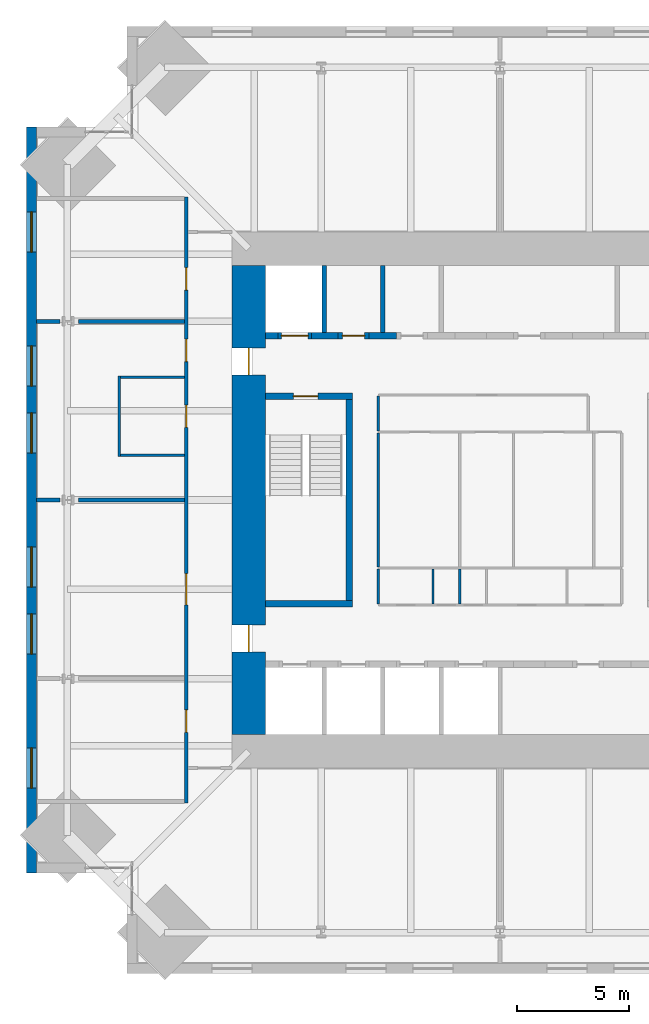
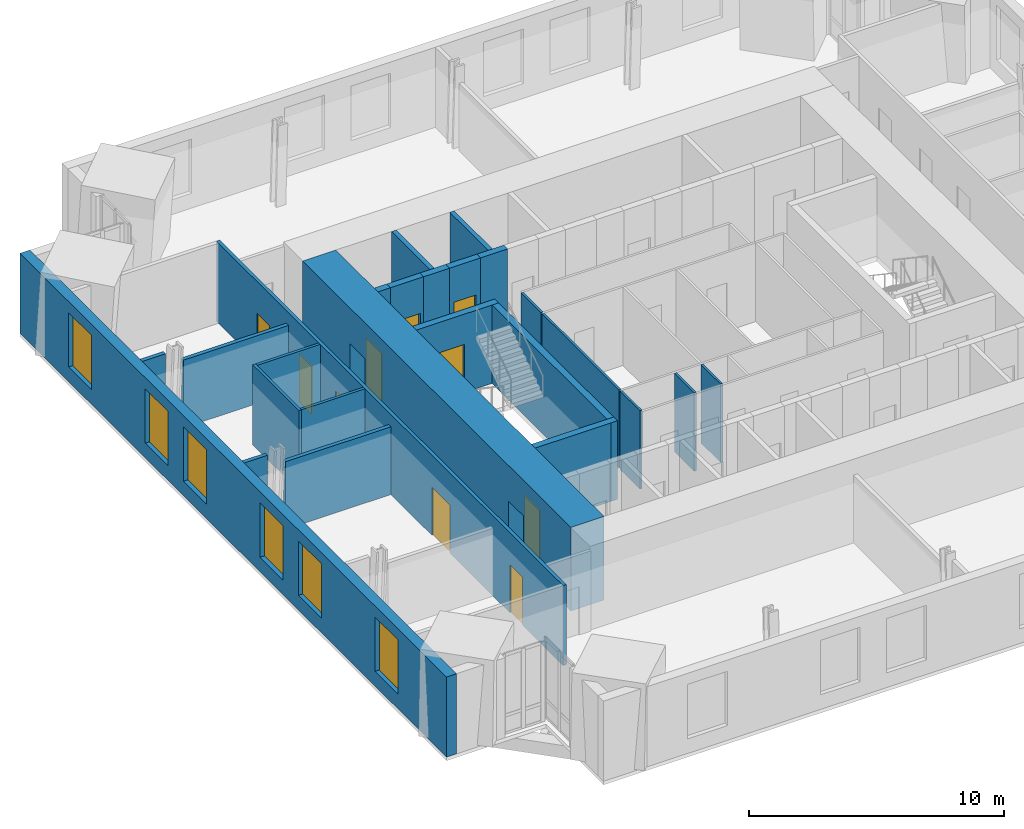
# One storey, part 11 of 15: 25 walls, 10 doors, 6 windows, 16 openings.
"""IFC4 building model written with IfcOpenShell, lengths in metres."""

from ifc_helpers import new_model, si_unit, direction, frame, frame_2d, origin, place, context, subcontext, project, spatial, rectangle, extrude, material, layer, layer_set, type_object, element, fill, save


model = new_model("IFC4")

# Units and contexts
model_context = context("Model", 3, precision=1e-05, world=origin(), true_north=direction((0.0, 1.0)))
body_context = subcontext(model_context, "Body", "Model", "MODEL_VIEW")
ifc_project = project(units=[si_unit("LENGTHUNIT", "METRE"), si_unit("AREAUNIT", "SQUARE_METRE"), si_unit("VOLUMEUNIT", "CUBIC_METRE"), si_unit("PLANEANGLEUNIT", "RADIAN"), si_unit("MASSUNIT", "GRAM", prefix="KILO")], contexts=[model_context])

# Site, building, storey
site_placement = place(None, origin())
site = spatial("IfcSite", under=ifc_project, at=site_placement, CompositionType="ELEMENT")
building_placement = place(site_placement, origin())
building = spatial("IfcBuilding", under=site, at=building_placement, Name="Peilmerk Tower", CompositionType="ELEMENT")
storey_placement = place(building_placement, frame((0.0, 0.0, 285.800048828125)))
storey = spatial("IfcBuildingStorey", under=building, at=storey_placement, Name="L64", CompositionType="ELEMENT", Elevation=285.800048828125)

# Wall, openings, windows
ifc_material_1 = material(Name="Precast concrete C45/55, board-marked finish", Category="concrete")
ifc_layer_1 = layer(ifc_material_1, 0.449951171875)
ifc_layer_set_1 = layer_set([ifc_layer_1], Name="Precast concrete C45/55, board-marked finish")
wall_type_1 = type_object("IfcWallType", Name="EW1 450 precast concrete facade wall, board-marked", PredefinedType="SOLIDWALL", material=ifc_layer_set_1)
wall_1_placement = place(storey_placement, frame((-20.97509765625, 16.699951171875, 0.0), z_axis=(0.0, 0.0, 1.0), x_axis=(0.0, -1.0, 0.0)))
wall_1 = element("IfcWall", 1, at=wall_1_placement, inside=storey, type_object=wall_type_1, Name="Facade wall W L64", PredefinedType="SOLIDWALL", context=body_context, shape_type="SweptSolid", body=[
    extrude(rectangle(XDim=33.39990234375, YDim=0.449951171875, at=frame_2d((16.699951171875, 0.0))), origin(), (0.0, 0.0, 1.0), 3.829833984375),
])
opening_1_placement = place(wall_1_placement, frame((3.800048828125, 0.0, 0.699951171875)))
opening_1 = element("IfcOpeningElement", 2, at=opening_1_placement, cuts=wall_1, Name="Opening W1", PredefinedType="OPENING", context=body_context, shape_type="SweptSolid", body=[
    extrude(rectangle(XDim=1.800048828125, YDim=2.60009765625, at=frame_2d((0.89990234375, 1.300048828125))), frame((0.0, 0.23486328125, 0.0), z_axis=(0.0, -1.0, 0.0), x_axis=(1.0, 0.0, 0.0)), (0.0, 0.0, 1.0), 0.469970703125),
])
opening_2_placement = place(wall_1_placement, frame((9.800048828125, 0.0, 0.699951171875)))
opening_2 = element("IfcOpeningElement", 3, at=opening_2_placement, cuts=wall_1, Name="Opening W1", PredefinedType="OPENING", context=body_context, shape_type="SweptSolid", body=[
    extrude(rectangle(XDim=1.800048828125, YDim=2.60009765625, at=frame_2d((0.89990234375, 1.300048828125))), frame((0.0, 0.23486328125, 0.0), z_axis=(0.0, -1.0, 0.0), x_axis=(1.0, 0.0, 0.0)), (0.0, 0.0, 1.0), 0.469970703125),
])
opening_3_placement = place(wall_1_placement, frame((12.800048828125, 0.0, 0.699951171875)))
opening_3 = element("IfcOpeningElement", 4, at=opening_3_placement, cuts=wall_1, Name="Opening W1", PredefinedType="OPENING", context=body_context, shape_type="SweptSolid", body=[
    extrude(rectangle(XDim=1.800048828125, YDim=2.60009765625, at=frame_2d((0.89990234375, 1.300048828125))), frame((0.0, 0.23486328125, 0.0), z_axis=(0.0, -1.0, 0.0), x_axis=(1.0, 0.0, 0.0)), (0.0, 0.0, 1.0), 0.469970703125),
])
opening_4_placement = place(wall_1_placement, frame((18.800048828125, 0.0, 0.699951171875)))
opening_4 = element("IfcOpeningElement", 5, at=opening_4_placement, cuts=wall_1, Name="Opening W1", PredefinedType="OPENING", context=body_context, shape_type="SweptSolid", body=[
    extrude(rectangle(XDim=1.800048828125, YDim=2.60009765625, at=frame_2d((0.89990234375, 1.300048828125))), frame((0.0, 0.23486328125, 0.0), z_axis=(0.0, -1.0, 0.0), x_axis=(1.0, 0.0, 0.0)), (0.0, 0.0, 1.0), 0.469970703125),
])
opening_5_placement = place(wall_1_placement, frame((21.800048828125, 0.0, 0.699951171875)))
opening_5 = element("IfcOpeningElement", 6, at=opening_5_placement, cuts=wall_1, Name="Opening W1", PredefinedType="OPENING", context=body_context, shape_type="SweptSolid", body=[
    extrude(rectangle(XDim=1.800048828125, YDim=2.60009765625, at=frame_2d((0.89990234375, 1.300048828125))), frame((0.0, 0.23486328125, 0.0), z_axis=(0.0, -1.0, 0.0), x_axis=(1.0, 0.0, 0.0)), (0.0, 0.0, 1.0), 0.469970703125),
])
opening_6_placement = place(wall_1_placement, frame((27.800048828125, 0.0, 0.699951171875)))
opening_6 = element("IfcOpeningElement", 7, at=opening_6_placement, cuts=wall_1, Name="Opening W1", PredefinedType="OPENING", context=body_context, shape_type="SweptSolid", body=[
    extrude(rectangle(XDim=1.800048828125, YDim=2.60009765625, at=frame_2d((0.89990234375, 1.300048828125))), frame((0.0, 0.23486328125, 0.0), z_axis=(0.0, -1.0, 0.0), x_axis=(1.0, 0.0, 0.0)), (0.0, 0.0, 1.0), 0.469970703125),
])
ifc_material_2 = material(Name="Aluminium frame, clear double glazing", Category="aluminium")
window_type = type_object("IfcWindowType", Name="W1 1800x2600 office window", PartitioningType="SINGLE_PANEL", PredefinedType="WINDOW", material=ifc_material_2)
window_1_placement = place(opening_1_placement, origin())
window_1 = element("IfcWindow", 8, at=window_1_placement, inside=storey, type_object=window_type, Name="Window W1 L64", OverallHeight=2.60009765625, OverallWidth=1.800048828125, PartitioningType="SINGLE_PANEL", PredefinedType="WINDOW", context=body_context, shape_type="SweptSolid", body=[
    extrude(rectangle(XDim=1.800048828125, YDim=2.60009765625, at=frame_2d((0.89990234375, 1.300048828125))), frame((0.0, 0.030029296875, 0.0), z_axis=(0.0, -1.0, 0.0), x_axis=(1.0, 0.0, 0.0)), (0.0, 0.0, 1.0), 0.06005859375),
])
fill(opening_1, window_1)
window_2_placement = place(opening_2_placement, origin())
window_2 = element("IfcWindow", 9, at=window_2_placement, inside=storey, type_object=window_type, Name="Window W1 L64", OverallHeight=2.60009765625, OverallWidth=1.800048828125, PartitioningType="SINGLE_PANEL", PredefinedType="WINDOW", context=body_context, shape_type="SweptSolid", body=[
    extrude(rectangle(XDim=1.800048828125, YDim=2.60009765625, at=frame_2d((0.89990234375, 1.300048828125))), frame((0.0, 0.030029296875, 0.0), z_axis=(0.0, -1.0, 0.0), x_axis=(1.0, 0.0, 0.0)), (0.0, 0.0, 1.0), 0.06005859375),
])
fill(opening_2, window_2)
window_3_placement = place(opening_3_placement, origin())
window_3 = element("IfcWindow", 10, at=window_3_placement, inside=storey, type_object=window_type, Name="Window W1 L64", OverallHeight=2.60009765625, OverallWidth=1.800048828125, PartitioningType="SINGLE_PANEL", PredefinedType="WINDOW", context=body_context, shape_type="SweptSolid", body=[
    extrude(rectangle(XDim=1.800048828125, YDim=2.60009765625, at=frame_2d((0.89990234375, 1.300048828125))), frame((0.0, 0.030029296875, 0.0), z_axis=(0.0, -1.0, 0.0), x_axis=(1.0, 0.0, 0.0)), (0.0, 0.0, 1.0), 0.06005859375),
])
fill(opening_3, window_3)
window_4_placement = place(opening_4_placement, origin())
window_4 = element("IfcWindow", 11, at=window_4_placement, inside=storey, type_object=window_type, Name="Window W1 L64", OverallHeight=2.60009765625, OverallWidth=1.800048828125, PartitioningType="SINGLE_PANEL", PredefinedType="WINDOW", context=body_context, shape_type="SweptSolid", body=[
    extrude(rectangle(XDim=1.800048828125, YDim=2.60009765625, at=frame_2d((0.89990234375, 1.300048828125))), frame((0.0, 0.030029296875, 0.0), z_axis=(0.0, -1.0, 0.0), x_axis=(1.0, 0.0, 0.0)), (0.0, 0.0, 1.0), 0.06005859375),
])
fill(opening_4, window_4)
window_5_placement = place(opening_5_placement, origin())
window_5 = element("IfcWindow", 12, at=window_5_placement, inside=storey, type_object=window_type, Name="Window W1 L64", OverallHeight=2.60009765625, OverallWidth=1.800048828125, PartitioningType="SINGLE_PANEL", PredefinedType="WINDOW", context=body_context, shape_type="SweptSolid", body=[
    extrude(rectangle(XDim=1.800048828125, YDim=2.60009765625, at=frame_2d((0.89990234375, 1.300048828125))), frame((0.0, 0.030029296875, 0.0), z_axis=(0.0, -1.0, 0.0), x_axis=(1.0, 0.0, 0.0)), (0.0, 0.0, 1.0), 0.06005859375),
])
fill(opening_5, window_5)
window_6_placement = place(opening_6_placement, origin())
window_6 = element("IfcWindow", 13, at=window_6_placement, inside=storey, type_object=window_type, Name="Window W1 L64", OverallHeight=2.60009765625, OverallWidth=1.800048828125, PartitioningType="SINGLE_PANEL", PredefinedType="WINDOW", context=body_context, shape_type="SweptSolid", body=[
    extrude(rectangle(XDim=1.800048828125, YDim=2.60009765625, at=frame_2d((0.89990234375, 1.300048828125))), frame((0.0, 0.030029296875, 0.0), z_axis=(0.0, -1.0, 0.0), x_axis=(1.0, 0.0, 0.0)), (0.0, 0.0, 1.0), 0.06005859375),
])
fill(opening_6, window_6)

# Wall, openings, doors
ifc_material_3 = material(Name="Calcium silicate block", Category="masonry")
ifc_layer_2 = layer(ifc_material_3, 0.14990234375)
ifc_layer_set_2 = layer_set([ifc_layer_2], Name="Calcium silicate block")
wall_type_2 = type_object("IfcWallType", Name="IW1 150 corridor partition, EI 60", PredefinedType="PARTITIONING", material=ifc_layer_set_2)
wall_2_placement = place(storey_placement, frame((-14.050048828125, 13.574951171875, 0.0), z_axis=(0.0, 0.0, 1.0), x_axis=(0.0, -1.0, 0.0)))
wall_2 = element("IfcWall", 14, at=wall_2_placement, inside=storey, type_object=wall_type_2, Name="Corridor wall W L64", PredefinedType="PARTITIONING", context=body_context, shape_type="SweptSolid", body=[
    extrude(rectangle(XDim=27.14990234375, YDim=0.14990234375, at=frame_2d((13.574951171875, 0.0))), origin(), (0.0, 0.0, 1.0), 3.829833984375),
])
opening_7_placement = place(wall_2_placement, frame((22.97509765625, 0.0, 0.0)))
opening_7 = element("IfcOpeningElement", 15, at=opening_7_placement, cuts=wall_2, Name="Opening D1", PredefinedType="OPENING", context=body_context, shape_type="SweptSolid", body=[
    extrude(rectangle(XDim=1.0, YDim=2.300048828125, at=frame_2d((0.5, 1.14990234375))), frame((0.0, 0.0849609375, 0.0), z_axis=(0.0, -1.0, 0.0), x_axis=(1.0, 0.0, 0.0)), (0.0, 0.0, 1.0), 0.169921875),
])
opening_8_placement = place(wall_2_placement, frame((16.875, 0.0, 0.0)))
opening_8 = element("IfcOpeningElement", 16, at=opening_8_placement, cuts=wall_2, Name="Opening D8", PredefinedType="OPENING", context=body_context, shape_type="SweptSolid", body=[
    extrude(rectangle(XDim=1.39990234375, YDim=2.300048828125, at=frame_2d((0.699951171875, 1.14990234375))), frame((0.0, 0.0849609375, 0.0), z_axis=(0.0, -1.0, 0.0), x_axis=(1.0, 0.0, 0.0)), (0.0, 0.0, 1.0), 0.169921875),
])
opening_9_placement = place(wall_2_placement, frame((6.375, 0.0, 0.0)))
opening_9 = element("IfcOpeningElement", 17, at=opening_9_placement, cuts=wall_2, Name="Opening D1", PredefinedType="OPENING", context=body_context, shape_type="SweptSolid", body=[
    extrude(rectangle(XDim=1.0, YDim=2.300048828125, at=frame_2d((0.5, 1.14990234375))), frame((0.0, 0.0849609375, 0.0), z_axis=(0.0, -1.0, 0.0), x_axis=(1.0, 0.0, 0.0)), (0.0, 0.0, 1.0), 0.169921875),
])
opening_10_placement = place(wall_2_placement, frame((3.175048828125, 0.0, 0.0)))
opening_10 = element("IfcOpeningElement", 18, at=opening_10_placement, cuts=wall_2, Name="Opening D1", PredefinedType="OPENING", context=body_context, shape_type="SweptSolid", body=[
    extrude(rectangle(XDim=1.0, YDim=2.300048828125, at=frame_2d((0.5, 1.14990234375))), frame((0.0, 0.0849609375, 0.0), z_axis=(0.0, -1.0, 0.0), x_axis=(1.0, 0.0, 0.0)), (0.0, 0.0, 1.0), 0.169921875),
])
opening_11_placement = place(wall_2_placement, frame((9.324951171875, 0.0, 0.0)))
opening_11 = element("IfcOpeningElement", 19, at=opening_11_placement, cuts=wall_2, Name="Opening D1", PredefinedType="OPENING", context=body_context, shape_type="SweptSolid", body=[
    extrude(rectangle(XDim=1.0, YDim=2.300048828125, at=frame_2d((0.5, 1.14990234375))), frame((0.0, 0.0849609375, 0.0), z_axis=(0.0, -1.0, 0.0), x_axis=(1.0, 0.0, 0.0)), (0.0, 0.0, 1.0), 0.169921875),
])
ifc_material_4 = material(Name="Timber door in steel frame", Category="steel")
door_type_1 = type_object("IfcDoorType", Name="D1 1000x2300 room door, EI2 30", OperationType="SINGLE_SWING_LEFT", PredefinedType="DOOR", material=ifc_material_4)
door_1_placement = place(opening_7_placement, frame((1.0, 0.0, 0.0), z_axis=(0.0, 0.0, 1.0), x_axis=(-1.0, 0.0, 0.0)))
door_1 = element("IfcDoor", 20, at=door_1_placement, inside=storey, type_object=door_type_1, Name="Door Executive office L64", OperationType="SINGLE_SWING_LEFT", OverallHeight=2.300048828125, OverallWidth=1.0, PredefinedType="DOOR", context=body_context, shape_type="SweptSolid", body=[
    extrude(rectangle(XDim=1.0, YDim=2.300048828125, at=frame_2d((0.5, 1.14990234375))), frame((0.0, 0.02490234375, 0.0), z_axis=(0.0, -1.0, 0.0), x_axis=(1.0, 0.0, 0.0)), (0.0, 0.0, 1.0), 0.050048828125),
])
fill(opening_7, door_1)
door_2_placement = place(opening_9_placement, frame((1.0, 0.0, 0.0), z_axis=(0.0, 0.0, 1.0), x_axis=(-1.0, 0.0, 0.0)))
door_2 = element("IfcDoor", 21, at=door_2_placement, inside=storey, type_object=door_type_1, Name="Door Executive office L64", OperationType="SINGLE_SWING_LEFT", OverallHeight=2.300048828125, OverallWidth=1.0, PredefinedType="DOOR", context=body_context, shape_type="SweptSolid", body=[
    extrude(rectangle(XDim=1.0, YDim=2.300048828125, at=frame_2d((0.5, 1.14990234375))), frame((0.0, 0.02490234375, 0.0), z_axis=(0.0, -1.0, 0.0), x_axis=(1.0, 0.0, 0.0)), (0.0, 0.0, 1.0), 0.050048828125),
])
fill(opening_9, door_2)
door_3_placement = place(opening_10_placement, frame((1.0, 0.0, 0.0), z_axis=(0.0, 0.0, 1.0), x_axis=(-1.0, 0.0, 0.0)))
door_3 = element("IfcDoor", 22, at=door_3_placement, inside=storey, type_object=door_type_1, Name="Door Security control room L64", OperationType="SINGLE_SWING_LEFT", OverallHeight=2.300048828125, OverallWidth=1.0, PredefinedType="DOOR", context=body_context, shape_type="SweptSolid", body=[
    extrude(rectangle(XDim=1.0, YDim=2.300048828125, at=frame_2d((0.5, 1.14990234375))), frame((0.0, 0.02490234375, 0.0), z_axis=(0.0, -1.0, 0.0), x_axis=(1.0, 0.0, 0.0)), (0.0, 0.0, 1.0), 0.050048828125),
])
fill(opening_10, door_3)
door_4_placement = place(opening_11_placement, frame((1.0, 0.0, 0.0), z_axis=(0.0, 0.0, 1.0), x_axis=(-1.0, 0.0, 0.0)))
door_4 = element("IfcDoor", 23, at=door_4_placement, inside=storey, type_object=door_type_1, Name="Door Pantry L64", OperationType="SINGLE_SWING_LEFT", OverallHeight=2.300048828125, OverallWidth=1.0, PredefinedType="DOOR", context=body_context, shape_type="SweptSolid", body=[
    extrude(rectangle(XDim=1.0, YDim=2.300048828125, at=frame_2d((0.5, 1.14990234375))), frame((0.0, 0.02490234375, 0.0), z_axis=(0.0, -1.0, 0.0), x_axis=(1.0, 0.0, 0.0)), (0.0, 0.0, 1.0), 0.050048828125),
])
fill(opening_11, door_4)
door_type_2 = type_object("IfcDoorType", Name="D8 1400x2300 leaf-and-a-half door, EI2 30", OperationType="DOUBLE_DOOR_SINGLE_SWING", PredefinedType="DOOR", material=ifc_material_4)
door_5_placement = place(opening_8_placement, frame((1.39990234375, 0.0, 0.0), z_axis=(0.0, 0.0, 1.0), x_axis=(-1.0, 0.0, 0.0)))
door_5 = element("IfcDoor", 24, at=door_5_placement, inside=storey, type_object=door_type_2, Name="Door Board room L64", OperationType="DOUBLE_DOOR_SINGLE_SWING", OverallHeight=2.300048828125, OverallWidth=1.39990234375, PredefinedType="DOOR", context=body_context, shape_type="SweptSolid", body=[
    extrude(rectangle(XDim=1.39990234375, YDim=2.300048828125, at=frame_2d((0.699951171875, 1.14990234375))), frame((0.0, 0.02490234375, 0.0), z_axis=(0.0, -1.0, 0.0), x_axis=(1.0, 0.0, 0.0)), (0.0, 0.0, 1.0), 0.050048828125),
])
fill(opening_8, door_5)

# Wall
ifc_material_5 = material(Name="Concrete C35/45", Category="concrete")
ifc_layer_3 = layer(ifc_material_5, 0.300048828125)
ifc_layer_set_3 = layer_set([ifc_layer_3], Name="Concrete C35/45")
wall_type_3 = type_object("IfcWallType", Name="IW3 300 concrete stair enclosure wall, EI 120", PredefinedType="SOLIDWALL", material=ifc_layer_set_3)
wall_3_placement = place(storey_placement, frame((-6.75, -4.800048828125, 0.0), z_axis=(0.0, 0.0, 1.0), x_axis=(0.0, 1.0, 0.0)))
element("IfcWall", 25, at=wall_3_placement, inside=storey, type_object=wall_type_3, Name="Stair 1 enclosure L64", PredefinedType="SOLIDWALL", context=body_context, shape_type="SweptSolid", body=[
    extrude(rectangle(XDim=9.60009765625, YDim=0.300048828125, at=frame_2d((4.800048828125, 0.0))), origin(), (0.0, 0.0, 1.0), 3.75),
])

# Wall, opening, door
wall_4_placement = place(storey_placement, frame((-10.5, 4.64990234375, 0.0), z_axis=(0.0, 0.0, 1.0), x_axis=(1.0, 0.0, 0.0)))
wall_4 = element("IfcWall", 26, at=wall_4_placement, inside=storey, type_object=wall_type_3, Name="Stair 1 enclosure L64", PredefinedType="SOLIDWALL", context=body_context, shape_type="SweptSolid", body=[
    extrude(rectangle(XDim=3.89990234375, YDim=0.300048828125, at=frame_2d((1.949951171875, 0.0))), origin(), (0.0, 0.0, 1.0), 3.75),
])
opening_12_placement = place(wall_4_placement, frame((1.25, 0.0, 0.0)))
opening_12 = element("IfcOpeningElement", 27, at=opening_12_placement, cuts=wall_4, Name="Opening D4", PredefinedType="OPENING", context=body_context, shape_type="SweptSolid", body=[
    extrude(rectangle(XDim=1.10009765625, YDim=2.300048828125, at=frame_2d((0.550048828125, 1.14990234375))), frame((0.0, 0.159912109375, 0.0), z_axis=(0.0, -1.0, 0.0), x_axis=(1.0, 0.0, 0.0)), (0.0, 0.0, 1.0), 0.320068359375),
])
ifc_material_6 = material(Name="Steel door in steel frame", Category="steel")
door_type_3 = type_object("IfcDoorType", Name="D4 1100x2300 stair door, EI2 60", OperationType="SINGLE_SWING_RIGHT", PredefinedType="DOOR", material=ifc_material_6)
door_6_placement = place(opening_12_placement, frame((1.10009765625, 0.0, 0.0), z_axis=(0.0, 0.0, 1.0), x_axis=(-1.0, 0.0, 0.0)))
door_6 = element("IfcDoor", 28, at=door_6_placement, inside=storey, type_object=door_type_3, Name="Stair 1 door L64", OperationType="SINGLE_SWING_RIGHT", OverallHeight=2.300048828125, OverallWidth=1.10009765625, PredefinedType="DOOR", context=body_context, shape_type="SweptSolid", body=[
    extrude(rectangle(XDim=1.10009765625, YDim=2.300048828125, at=frame_2d((0.550048828125, 1.14990234375))), frame((0.0, 0.02490234375, 0.0), z_axis=(0.0, -1.0, 0.0), x_axis=(1.0, 0.0, 0.0)), (0.0, 0.0, 1.0), 0.050048828125),
])
fill(opening_12, door_6)

# Walls
wall_5_placement = place(storey_placement, frame((-6.60009765625, -4.64990234375, 0.0), z_axis=(0.0, 0.0, 1.0), x_axis=(-1.0, 0.0, 0.0)))
element("IfcWall", 29, at=wall_5_placement, inside=storey, type_object=wall_type_3, Name="Stair 1 enclosure L64", PredefinedType="SOLIDWALL", context=body_context, shape_type="SweptSolid", body=[
    extrude(rectangle(XDim=3.89990234375, YDim=0.300048828125, at=frame_2d((1.949951171875, 0.0))), origin(), (0.0, 0.0, 1.0), 3.75),
])
ifc_material_7 = material(Name="Plasterboard on steel studs", Category="steel")
ifc_layer_4 = layer(ifc_material_7, 0.10009765625)
ifc_layer_set_4 = layer_set([ifc_layer_4], Name="Plasterboard on steel studs")
wall_type_4 = type_object("IfcWallType", Name="IW4 100 WC partition", PredefinedType="PARTITIONING", material=ifc_layer_set_4)
wall_6_placement = place(storey_placement, frame((-5.449951171875, -3.0, 0.0), z_axis=(0.0, 0.0, 1.0), x_axis=(0.0, 1.0, 0.0)))
element("IfcWall", 30, at=wall_6_placement, inside=storey, type_object=wall_type_4, Name="WC wall L64", PredefinedType="PARTITIONING", context=body_context, shape_type="SweptSolid", body=[
    extrude(rectangle(XDim=6.0, YDim=0.10009765625, at=frame_2d((3.0, 0.0))), origin(), (0.0, 0.0, 1.0), 3.75),
])
ifc_material_8 = material(Name="Calcium silicate board on steel studs", Category="steel")
ifc_layer_5 = layer(ifc_material_8, 0.10009765625)
ifc_layer_set_5 = layer_set([ifc_layer_5], Name="Calcium silicate board on steel studs")
wall_type_5 = type_object("IfcWallType", Name="IW5 100 riser enclosure wall, EI 60", PredefinedType="PARTITIONING", material=ifc_layer_set_5)
for number, where, z_axis, x_axis, name in (
    (31, (-5.449951171875, -3.10009765625, 0.0), (0.0, 0.0, 1.0), (0.0, -1.0, 0.0), "Riser wall L64"),
    (32, (-3.0, -3.10009765625, 0.0), (0.0, 0.0, 1.0), (0.0, -1.0, 0.0), "Riser wall L64"),
    (33, (-1.800048828125, -3.10009765625, 0.0), (0.0, 0.0, 1.0), (0.0, -1.0, 0.0), "Riser wall L64"),
):
    element("IfcWall", number, at=place(storey_placement, frame(where, z_axis=z_axis, x_axis=x_axis)), inside=storey, type_object=wall_type_5, Name=name, PredefinedType="PARTITIONING", context=body_context, shape_type="SweptSolid", body=[
        extrude(rectangle(XDim=1.5498046875, YDim=0.10009765625, at=frame_2d((0.77490234375, 0.0))), origin(), (0.0, 0.0, 1.0), 3.75),
    ])
ifc_material_9 = material(Name="Plasterboard on steel studs, double boarded with mineral wool", Category="steel")
ifc_layer_6 = layer(ifc_material_9, 0.125)
ifc_layer_set_6 = layer_set([ifc_layer_6], Name="Plasterboard on steel studs, double boarded with mineral wool")
wall_type_6 = type_object("IfcWallType", Name="IW7 125 acoustic partition, EI 30", PredefinedType="PARTITIONING", material=ifc_layer_set_6)
wall_7_placement = place(storey_placement, frame((-17.050048828125, 1.9375, 0.0), z_axis=(0.0, 0.0, 1.0), x_axis=(0.0, 1.0, 0.0)))
element("IfcWall", 34, at=wall_7_placement, inside=storey, type_object=wall_type_6, Name="Acoustic partition Pantry L64", PredefinedType="PARTITIONING", context=body_context, shape_type="SweptSolid", body=[
    extrude(rectangle(XDim=3.625, YDim=0.125, at=frame_2d((1.8125, 0.0))), origin(), (0.0, 0.0, 1.0), 3.829833984375),
])
for number, where, z_axis, x_axis, name in (
    (35, (-14.125, 2.0, 0.0), (0.0, 0.0, 1.0), (-1.0, 0.0, 0.0), "Acoustic partition Pantry L64"),
    (36, (-14.125, 5.5, 0.0), (0.0, 0.0, 1.0), (-1.0, 0.0, 0.0), "Acoustic partition Pantry L64"),
):
    element("IfcWall", number, at=place(storey_placement, frame(where, z_axis=z_axis, x_axis=x_axis)), inside=storey, type_object=wall_type_6, Name=name, PredefinedType="PARTITIONING", context=body_context, shape_type="SweptSolid", body=[
        extrude(rectangle(XDim=2.862548828125, YDim=0.125, at=frame_2d((1.43115234375, 0.0))), origin(), (0.0, 0.0, 1.0), 3.829833984375),
    ])
ifc_layer_7 = layer(ifc_material_3, 0.175048828125)
ifc_layer_set_7 = layer_set([ifc_layer_7], Name="Calcium silicate block")
wall_type_7 = type_object("IfcWallType", Name="IW8 175 tenant separating wall, EI 60", PredefinedType="PARTITIONING", material=ifc_layer_set_7)
wall_8_placement = place(storey_placement, frame((-14.125, 0.0, 0.0), z_axis=(0.0, 0.0, 1.0), x_axis=(-1.0, 0.0, 0.0)))
element("IfcWall", 37, at=wall_8_placement, inside=storey, type_object=wall_type_7, Name="Tenant separating wall W2 L64", PredefinedType="PARTITIONING", context=body_context, shape_type="SweptSolid", body=[
    extrude(rectangle(XDim=4.756591796875, YDim=0.175048828125, at=frame_2d((2.37841796875, 0.0))), origin(), (0.0, 0.0, 1.0), 3.239990234375),
])
wall_9_placement = place(storey_placement, frame((-19.7021484375, 0.0, 0.0), z_axis=(0.0, 0.0, 1.0), x_axis=(-1.0, 0.0, 0.0)))
element("IfcWall", 38, at=wall_9_placement, inside=storey, type_object=wall_type_7, Name="Tenant separating wall W2b L64", PredefinedType="PARTITIONING", context=body_context, shape_type="SweptSolid", body=[
    extrude(rectangle(XDim=1.0478515625, YDim=0.175048828125, at=frame_2d((0.52392578125, 0.0))), origin(), (0.0, 0.0, 1.0), 3.829833984375),
])
wall_10_placement = place(storey_placement, frame((-14.125, 8.0, 0.0), z_axis=(0.0, 0.0, 1.0), x_axis=(-1.0, 0.0, 0.0)))
element("IfcWall", 39, at=wall_10_placement, inside=storey, type_object=wall_type_7, Name="Tenant separating wall W3 L64", PredefinedType="PARTITIONING", context=body_context, shape_type="SweptSolid", body=[
    extrude(rectangle(XDim=4.756591796875, YDim=0.175048828125, at=frame_2d((2.37841796875, 0.0))), origin(), (0.0, 0.0, 1.0), 3.239990234375),
])
wall_11_placement = place(storey_placement, frame((-19.7021484375, 8.0, 0.0), z_axis=(0.0, 0.0, 1.0), x_axis=(-1.0, 0.0, 0.0)))
element("IfcWall", 40, at=wall_11_placement, inside=storey, type_object=wall_type_7, Name="Tenant separating wall W3b L64", PredefinedType="PARTITIONING", context=body_context, shape_type="SweptSolid", body=[
    extrude(rectangle(XDim=1.0478515625, YDim=0.175048828125, at=frame_2d((0.52392578125, 0.0))), origin(), (0.0, 0.0, 1.0), 3.829833984375),
])
ifc_material_10 = material(Name="Fire-resisting plasterboard on steel studs", Category="steel")
ifc_layer_8 = layer(ifc_material_10, 0.10009765625)
ifc_layer_set_8 = layer_set([ifc_layer_8], Name="Fire-resisting plasterboard on steel studs")
wall_type_8 = type_object("IfcWallType", Name="IW9 100 WC lobby wall, EI 30", PredefinedType="PARTITIONING", material=ifc_layer_set_8)
wall_12_placement = place(storey_placement, frame((-5.449951171875, 3.10009765625, 0.0), z_axis=(0.0, 0.0, 1.0), x_axis=(0.0, 1.0, 0.0)))
element("IfcWall", 41, at=wall_12_placement, inside=storey, type_object=wall_type_8, Name="WC lobby wall L64", PredefinedType="PARTITIONING", context=body_context, shape_type="SweptSolid", body=[
    extrude(rectangle(XDim=1.5498046875, YDim=0.10009765625, at=frame_2d((0.77490234375, 0.0))), origin(), (0.0, 0.0, 1.0), 3.75),
])
ifc_layer_9 = layer(ifc_material_3, 0.199951171875)
ifc_layer_set_9 = layer_set([ifc_layer_9], Name="Calcium silicate block")
wall_type_9 = type_object("IfcWallType", Name="SH1 200 shaft dividing wall, EI 120", PredefinedType="PARTITIONING", material=ifc_layer_set_9)
for number, where, z_axis, x_axis, name in (
    (42, (-7.875, 7.5, 0.0), (0.0, 0.0, 1.0), (0.0, 1.0, 0.0), "Shaft wall N FL1 L64"),
    (43, (-5.25, 7.5, 0.0), (0.0, 0.0, 1.0), (0.0, 1.0, 0.0), "Shaft wall N A1 L64"),
):
    element("IfcWall", number, at=place(storey_placement, frame(where, z_axis=z_axis, x_axis=x_axis)), inside=storey, type_object=wall_type_9, Name=name, PredefinedType="PARTITIONING", context=body_context, shape_type="SweptSolid", body=[
        extrude(rectangle(XDim=3.0, YDim=0.199951171875, at=frame_2d((1.5, 0.0))), origin(), (0.0, 0.0, 1.0), 4.0),
    ])

# Wall, opening, door
ifc_layer_10 = layer(ifc_material_3, 0.300048828125)
ifc_layer_set_10 = layer_set([ifc_layer_10], Name="Calcium silicate block")
wall_type_10 = type_object("IfcWallType", Name="SH2 300 lift landing door panel, EI 120", PredefinedType="PARTITIONING", material=ifc_layer_set_10)
wall_13_placement = place(storey_placement, frame((-9.9375, 7.35009765625, 0.0), z_axis=(0.0, 0.0, 1.0), x_axis=(1.0, 0.0, 0.0)))
wall_13 = element("IfcWall", 44, at=wall_13_placement, inside=storey, type_object=wall_type_10, Name="Lift door panel N FL1 L64", PredefinedType="PARTITIONING", context=body_context, shape_type="SweptSolid", body=[
    extrude(rectangle(XDim=1.5, YDim=0.300048828125, at=frame_2d((0.75, 0.0))), origin(), (0.0, 0.0, 1.0), 4.0),
])
opening_13_placement = place(wall_13_placement, frame((0.14990234375, 0.0, 0.0)))
opening_13 = element("IfcOpeningElement", 45, at=opening_13_placement, cuts=wall_13, Name="Opening LD2", PredefinedType="OPENING", context=body_context, shape_type="SweptSolid", body=[
    extrude(rectangle(XDim=1.199951171875, YDim=2.300048828125, at=frame_2d((0.60009765625, 1.14990234375))), frame((0.0, 0.159912109375, 0.0), z_axis=(0.0, -1.0, 0.0), x_axis=(1.0, 0.0, 0.0)), (0.0, 0.0, 1.0), 0.320068359375),
])
ifc_material_11 = material(Name="Stainless steel landing door", Category="steel")
door_type_4 = type_object("IfcDoorType", Name="LD2 1200x2300 lift landing door, sliding, EI2 60", OperationType="SLIDING_TO_LEFT", PredefinedType="DOOR", material=ifc_material_11)
door_7_placement = place(opening_13_placement, frame((1.199951171875, 0.0, 0.0), z_axis=(0.0, 0.0, 1.0), x_axis=(-1.0, 0.0, 0.0)))
door_7 = element("IfcDoor", 46, at=door_7_placement, inside=storey, type_object=door_type_4, Name="Lift landing door FL1 L64", OperationType="SLIDING_TO_LEFT", OverallHeight=2.300048828125, OverallWidth=1.199951171875, PredefinedType="DOOR", context=body_context, shape_type="SweptSolid", body=[
    extrude(rectangle(XDim=1.199951171875, YDim=2.300048828125, at=frame_2d((0.60009765625, 1.14990234375))), frame((0.0, 0.02490234375, 0.0), z_axis=(0.0, -1.0, 0.0), x_axis=(1.0, 0.0, 0.0)), (0.0, 0.0, 1.0), 0.050048828125),
])
fill(opening_13, door_7)

wall_14_placement = place(storey_placement, frame((-7.262451171875, 7.35009765625, 0.0), z_axis=(0.0, 0.0, 1.0), x_axis=(1.0, 0.0, 0.0)))
wall_14 = element("IfcWall", 47, at=wall_14_placement, inside=storey, type_object=wall_type_10, Name="Lift door panel N A1 L64", PredefinedType="PARTITIONING", context=body_context, shape_type="SweptSolid", body=[
    extrude(rectangle(XDim=1.39990234375, YDim=0.300048828125, at=frame_2d((0.699951171875, 0.0))), origin(), (0.0, 0.0, 1.0), 4.0),
])
opening_14_placement = place(wall_14_placement, frame((0.199951171875, 0.0, 0.0)))
opening_14 = element("IfcOpeningElement", 48, at=opening_14_placement, cuts=wall_14, Name="Opening D10", PredefinedType="OPENING", context=body_context, shape_type="SweptSolid", body=[
    extrude(rectangle(XDim=1.0, YDim=2.300048828125, at=frame_2d((0.5, 1.14990234375))), frame((0.0, 0.159912109375, 0.0), z_axis=(0.0, -1.0, 0.0), x_axis=(1.0, 0.0, 0.0)), (0.0, 0.0, 1.0), 0.320068359375),
])
door_type_5 = type_object("IfcDoorType", Name="D10 1000x2300 core room door, EI2 60", OperationType="SINGLE_SWING_RIGHT", PredefinedType="DOOR", material=ifc_material_6)
door_8_placement = place(opening_14_placement, origin())
door_8 = element("IfcDoor", 49, at=door_8_placement, inside=storey, type_object=door_type_5, Name="Door Electrical room L64", OperationType="SINGLE_SWING_RIGHT", OverallHeight=2.300048828125, OverallWidth=1.0, PredefinedType="DOOR", context=body_context, shape_type="SweptSolid", body=[
    extrude(rectangle(XDim=1.0, YDim=2.300048828125, at=frame_2d((0.5, 1.14990234375))), frame((0.0, 0.02490234375, 0.0), z_axis=(0.0, -1.0, 0.0), x_axis=(1.0, 0.0, 0.0)), (0.0, 0.0, 1.0), 0.050048828125),
])
fill(opening_14, door_8)

# Wall, openings, doors
ifc_material_12 = material(Name="Concrete C55/67", Category="concrete")
ifc_layer_11 = layer(ifc_material_12, 1.5)
ifc_layer_set_11 = layer_set([ifc_layer_11], Name="Concrete C55/67")
wall_type_11 = type_object("IfcWallType", Name="SW1 1500 core wall", PredefinedType="SHEAR", material=ifc_layer_set_11)
wall_15_placement = place(storey_placement, frame((-11.25, -10.5, 0.0), z_axis=(0.0, 0.0, 1.0), x_axis=(0.0, 1.0, 0.0)))
wall_15 = element("IfcWall", 50, at=wall_15_placement, inside=storey, type_object=wall_type_11, Name="Core wall W L64", PredefinedType="SHEAR", context=body_context, shape_type="SweptSolid", body=[
    extrude(rectangle(XDim=21.0, YDim=1.5, at=frame_2d((10.5, 0.0))), origin(), (0.0, 0.0, 1.0), 4.0),
])
opening_15_placement = place(wall_15_placement, frame((16.10009765625, 0.0, 0.0)))
opening_15 = element("IfcOpeningElement", 51, at=opening_15_placement, cuts=wall_15, Name="Opening D3", PredefinedType="OPENING", context=body_context, shape_type="SweptSolid", body=[
    extrude(rectangle(XDim=1.199951171875, YDim=2.300048828125, at=frame_2d((0.60009765625, 1.14990234375))), frame((0.0, 0.760009765625, 0.0), z_axis=(0.0, -1.0, 0.0), x_axis=(1.0, 0.0, 0.0)), (0.0, 0.0, 1.0), 1.52001953125),
])
opening_16_placement = place(wall_15_placement, frame((3.699951171875, 0.0, 0.0)))
opening_16 = element("IfcOpeningElement", 52, at=opening_16_placement, cuts=wall_15, Name="Opening D3", PredefinedType="OPENING", context=body_context, shape_type="SweptSolid", body=[
    extrude(rectangle(XDim=1.199951171875, YDim=2.300048828125, at=frame_2d((0.60009765625, 1.14990234375))), frame((0.0, 0.760009765625, 0.0), z_axis=(0.0, -1.0, 0.0), x_axis=(1.0, 0.0, 0.0)), (0.0, 0.0, 1.0), 1.52001953125),
])
door_type_6 = type_object("IfcDoorType", Name="D3 1200x2300 core door, EI2 60", OperationType="SINGLE_SWING_LEFT", PredefinedType="DOOR", material=ifc_material_6)
door_9_placement = place(opening_15_placement, frame((1.199951171875, 0.0, 0.0), z_axis=(0.0, 0.0, 1.0), x_axis=(-1.0, 0.0, 0.0)))
door_9 = element("IfcDoor", 53, at=door_9_placement, inside=storey, type_object=door_type_6, Name="Core door L64", OperationType="SINGLE_SWING_LEFT", OverallHeight=2.300048828125, OverallWidth=1.199951171875, PredefinedType="DOOR", context=body_context, shape_type="SweptSolid", body=[
    extrude(rectangle(XDim=1.199951171875, YDim=2.300048828125, at=frame_2d((0.60009765625, 1.14990234375))), frame((0.0, 0.02490234375, 0.0), z_axis=(0.0, -1.0, 0.0), x_axis=(1.0, 0.0, 0.0)), (0.0, 0.0, 1.0), 0.050048828125),
])
fill(opening_15, door_9)
door_10_placement = place(opening_16_placement, frame((1.199951171875, 0.0, 0.0), z_axis=(0.0, 0.0, 1.0), x_axis=(-1.0, 0.0, 0.0)))
door_10 = element("IfcDoor", 54, at=door_10_placement, inside=storey, type_object=door_type_6, Name="Core door L64", OperationType="SINGLE_SWING_LEFT", OverallHeight=2.300048828125, OverallWidth=1.199951171875, PredefinedType="DOOR", context=body_context, shape_type="SweptSolid", body=[
    extrude(rectangle(XDim=1.199951171875, YDim=2.300048828125, at=frame_2d((0.60009765625, 1.14990234375))), frame((0.0, 0.02490234375, 0.0), z_axis=(0.0, -1.0, 0.0), x_axis=(1.0, 0.0, 0.0)), (0.0, 0.0, 1.0), 0.050048828125),
])
fill(opening_16, door_10)

# Walls
ifc_layer_12 = layer(ifc_material_12, 0.300048828125)
ifc_layer_set_12 = layer_set([ifc_layer_12], Name="Concrete C55/67")
wall_type_12 = type_object("IfcWallType", Name="SW2 300 lift bank pier", PredefinedType="SHEAR", material=ifc_layer_set_12)
wall_16_placement = place(storey_placement, frame((-10.5, 7.35009765625, 0.0), z_axis=(0.0, 0.0, 1.0), x_axis=(1.0, 0.0, 0.0)))
element("IfcWall", 55, at=wall_16_placement, inside=storey, type_object=wall_type_12, Name="Lift bank pier N L64", PredefinedType="SHEAR", context=body_context, shape_type="SweptSolid", body=[
    extrude(rectangle(XDim=0.5625, YDim=0.300048828125, at=frame_2d((0.28125, 0.0))), origin(), (0.0, 0.0, 1.0), 4.0),
])
wall_17_placement = place(storey_placement, frame((-8.4375, 7.35009765625, 0.0), z_axis=(0.0, 0.0, 1.0), x_axis=(1.0, 0.0, 0.0)))
element("IfcWall", 56, at=wall_17_placement, inside=storey, type_object=wall_type_12, Name="Lift bank pier N L64", PredefinedType="SHEAR", context=body_context, shape_type="SweptSolid", body=[
    extrude(rectangle(XDim=1.175048828125, YDim=0.300048828125, at=frame_2d((0.58740234375, 0.0))), origin(), (0.0, 0.0, 1.0), 4.0),
])
wall_18_placement = place(storey_placement, frame((-5.862548828125, 7.35009765625, 0.0), z_axis=(0.0, 0.0, 1.0), x_axis=(1.0, 0.0, 0.0)))
element("IfcWall", 57, at=wall_18_placement, inside=storey, type_object=wall_type_12, Name="Lift bank pier N L64", PredefinedType="SHEAR", context=body_context, shape_type="SweptSolid", body=[
    extrude(rectangle(XDim=1.22509765625, YDim=0.300048828125, at=frame_2d((0.612548828125, 0.0))), origin(), (0.0, 0.0, 1.0), 4.0),
])

save(model, "model.ifc")
